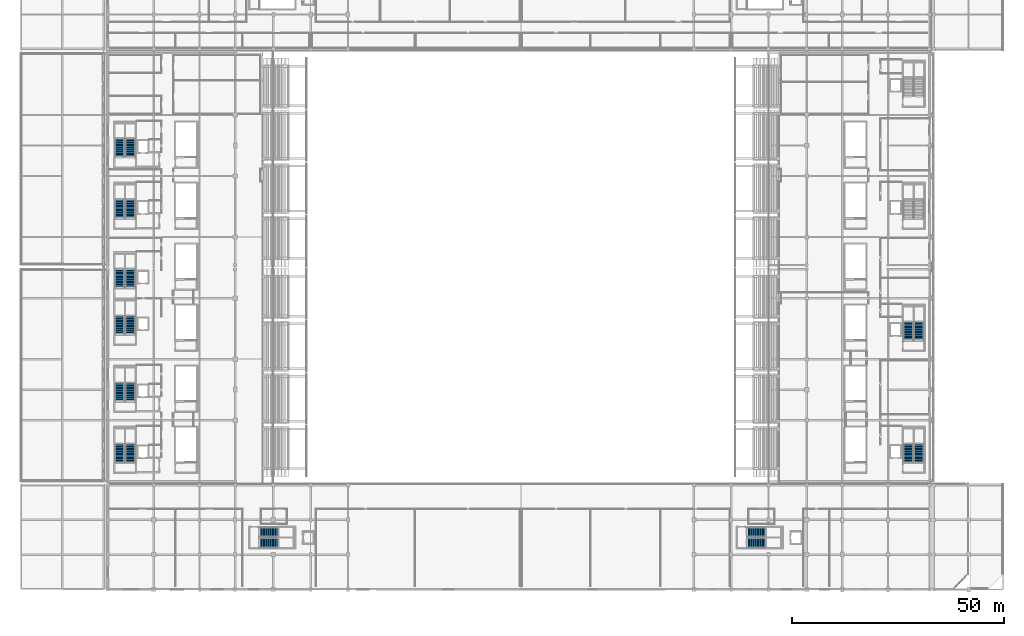
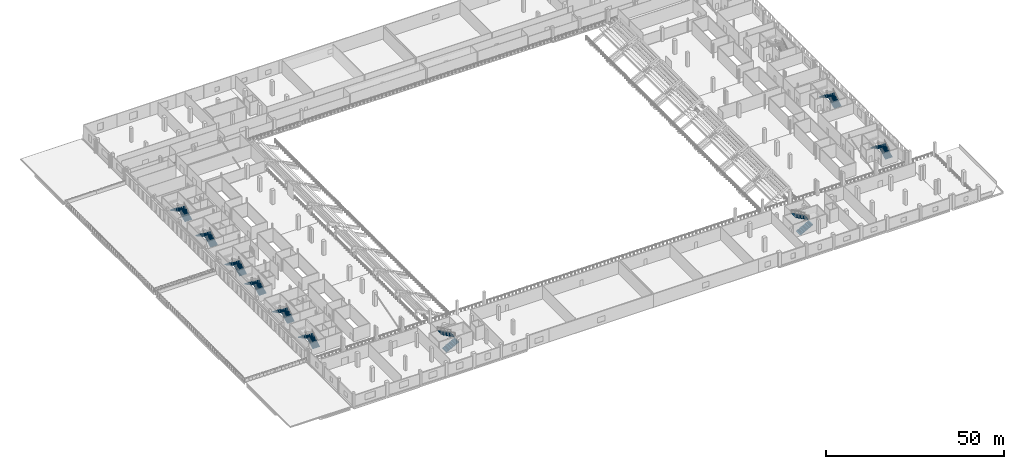
# One storey, part 45 of 74: 20 stair flights, 10 elements without a shape of their own.
"""IFC4 building model written with IfcOpenShell, lengths in metres."""

import ifcopenshell
import ifcopenshell.guid

model = None  # the IFC model being written
_history = None  # IfcOwnerHistory: only IFC2X3 demands one
_inside = {}  # id of a spatial element -> (the spatial element, [elements in it])
_under = {}  # id of a project, library or spatial element -> (it, [spatial elements below it])
_declared = {}  # id of a project -> (the project, [libraries it declares])
_typed = {}  # id of a type object -> (the type object, [elements of that type])
_made_of = {}  # id of a material, layer set ... -> (it, [elements and type objects made of it])


def new_model(schema):
    """Start an empty IFC model of exactly this schema.

    Asked for "IFC4X3", IfcOpenShell would pick the latest addendum, in which some entities
    have other attributes; the version numbers below select the first issue.
    IFC2X3 requires an IfcOwnerHistory on every rooted entity: one is made here for all.
    """
    global model, _history
    if schema == "IFC4X3":
        model = ifcopenshell.file(schema_version=(4, 3, 0, 0))
    else:
        model = ifcopenshell.file(schema=schema)
    _inside.clear()
    _under.clear()
    _declared.clear()
    _typed.clear()
    _made_of.clear()
    _history = None
    if model.schema == "IFC2X3":
        org = make("IfcOrganization", Name="unknown")
        user = make(
            "IfcPersonAndOrganization",
            ThePerson=make("IfcPerson", FamilyName="unknown"),
            TheOrganization=org,
        )
        app = make(
            "IfcApplication",
            ApplicationDeveloper=org,
            Version="unknown",
            ApplicationFullName="unknown",
            ApplicationIdentifier="unknown",
        )
        _history = make(
            "IfcOwnerHistory",
            OwningUser=user,
            OwningApplication=app,
            ChangeAction="ADDED",
            CreationDate=0,
        )
    return model


def make(cls, **values):
    """One entity of the class cls with the attributes given. An attribute that is None is left unset."""
    return model.create_entity(
        cls, **{name: value for name, value in values.items() if value is not None}
    )


def rooted(cls, **values):
    """An entity with a GlobalId (a new one), such as an element, a storey or a relation."""
    return make(cls, GlobalId=ifcopenshell.guid.new(), OwnerHistory=_history, **values)


def si_unit(unit_type, name, prefix=None):
    """IfcSIUnit, for example si_unit("LENGTHUNIT", "METRE", prefix="MILLI")."""
    return make("IfcSIUnit", UnitType=unit_type, Prefix=prefix, Name=name)


def assignment(units):
    """IfcUnitAssignment: the units of a project."""
    return None if units is None else make("IfcUnitAssignment", Units=units)


def point(xyz):
    """IfcCartesianPoint."""
    return None if xyz is None else make("IfcCartesianPoint", Coordinates=xyz)


def direction(xyz):
    """IfcDirection."""
    return None if xyz is None else make("IfcDirection", DirectionRatios=xyz)


def frame(location, z_axis=None, x_axis=None):
    """IfcAxis2Placement3D, a coordinate frame: its origin and axes. An axis left out is left unset."""
    return make(
        "IfcAxis2Placement3D",
        Location=point(location),
        Axis=direction(z_axis),
        RefDirection=direction(x_axis),
    )


def origin():
    """The frame at (0, 0, 0) with its axes left unset."""
    return frame((0.0, 0.0, 0.0))


def place(relative_to, where):
    """IfcLocalPlacement: puts the frame where relative to a parent placement (None: the world)."""
    return make(
        "IfcLocalPlacement", PlacementRelTo=relative_to, RelativePlacement=where
    )


def context(
    kind, dimensions, precision=None, world=None, true_north=None, identifier=None
):
    """IfcGeometricRepresentationContext, for example the 3D "Model" context."""
    return make(
        "IfcGeometricRepresentationContext",
        ContextIdentifier=identifier,
        ContextType=kind,
        CoordinateSpaceDimension=dimensions,
        Precision=precision,
        WorldCoordinateSystem=world,
        TrueNorth=true_north,
    )


def subcontext(parent, identifier, kind, view, scale=None):
    """IfcGeometricRepresentationSubContext, for example "Body" below "Model"."""
    return make(
        "IfcGeometricRepresentationSubContext",
        ContextIdentifier=identifier,
        ContextType=kind,
        ParentContext=parent,
        TargetScale=scale,
        TargetView=view,
    )


def project(units=None, contexts=None):
    """IfcProject with its units and contexts."""
    return rooted(
        "IfcProject",
        Name="project",
        RepresentationContexts=contexts,
        UnitsInContext=assignment(units),
    )


def spatial(cls, under=None, at=None, **own):
    """A site, building, storey or space (cls), placed at a placement, below another one or the project."""
    s = rooted(cls, ObjectPlacement=at, **own)
    if under is not None:
        _under.setdefault(under.id(), (under, []))[1].append(s)
    return s


def polyline(points):
    """IfcPolyline through the points."""
    return make("IfcPolyline", Points=[point(p) for p in points])


def outline(outer, holes=None, kind="AREA"):
    """IfcArbitraryClosedProfileDef: a profile drawn as a closed curve; with holes, ...WithVoids."""
    if holes is None:
        return make("IfcArbitraryClosedProfileDef", ProfileType=kind, OuterCurve=outer)
    return make(
        "IfcArbitraryProfileDefWithVoids",
        ProfileType=kind,
        OuterCurve=outer,
        InnerCurves=holes,
    )


def extrude(swept, where, along, depth):
    """IfcExtrudedAreaSolid: the profile swept, set in the frame where, extruded along a direction by depth."""
    return make(
        "IfcExtrudedAreaSolid",
        SweptArea=swept,
        Position=where,
        ExtrudedDirection=direction(along),
        Depth=depth,
    )


def shape(context_of_items, identifier, shape_type, items):
    """IfcShapeRepresentation: the items that make up one representation, for example the "Body"."""
    return make(
        "IfcShapeRepresentation",
        ContextOfItems=context_of_items,
        RepresentationIdentifier=identifier,
        RepresentationType=shape_type,
        Items=items,
    )


def material(Name=None, Category=None):
    """IfcMaterial."""
    return make("IfcMaterial", Name=Name, Category=Category)


def made_of(thing, what):
    """Note that an element or type object is made of a material, layer set ...; save() writes the relation."""
    if what is not None:
        _made_of.setdefault(what.id(), (what, []))[1].append(thing)
    return thing


def type_object(cls, material=None, **own):
    """A type object (cls), such as IfcWallType, which elements share."""
    return made_of(rooted(cls, **own), material)


def element(
    cls,
    number,
    at=None,
    inside=None,
    cuts=None,
    type_object=None,
    material=None,
    context=None,
    identifier="Body",
    shape_type=None,
    held_by="IfcProductDefinitionShape",
    body=None,
    shapes=None,
    **own,
):
    """One element of the class cls, such as IfcWall. Its Tag is "e" and its number.

    at: its placement. inside: the storey or other place that contains it. cuts: it is an
    opening in that element (IfcRelVoidsElement). A single representation is given by context,
    identifier, shape_type and body (its items); several are given by shapes. held_by: the class
    of the entity that holds the representations. save() writes the other relations.
    """
    e = rooted(cls, Tag="e%d" % number, ObjectPlacement=at, **own)
    if body is not None:
        shapes = [shape(context, identifier, shape_type, body)]
    if shapes is not None:
        e.Representation = make(held_by, Representations=shapes)
    if inside is not None:
        _inside.setdefault(inside.id(), (inside, []))[1].append(e)
    if cuts is not None:
        rooted(
            "IfcRelVoidsElement", RelatingBuildingElement=cuts, RelatedOpeningElement=e
        )
    if type_object is not None:
        _typed.setdefault(type_object.id(), (type_object, []))[1].append(e)
    return made_of(e, material)


def aggregate(whole, parts):
    """IfcRelAggregates: a whole, such as a stair, and the parts it consists of."""
    return rooted("IfcRelAggregates", RelatingObject=whole, RelatedObjects=parts)


def save(model, path):
    """Write the relations noted so far, then the file.

    IfcRelAggregates (storeys below a building ...), IfcRelContainedInSpatialStructure (elements
    in a storey), IfcRelDefinesByType, IfcRelAssociatesMaterial and IfcRelDeclares: one each for
    every whole, place, type object, material and project.
    """
    for whole, parts in _under.values():
        aggregate(whole, parts)
    for where, things in _inside.values():
        rooted(
            "IfcRelContainedInSpatialStructure",
            RelatedElements=things,
            RelatingStructure=where,
        )
    for kind, things in _typed.values():
        rooted("IfcRelDefinesByType", RelatedObjects=things, RelatingType=kind)
    for what, things in _made_of.values():
        rooted("IfcRelAssociatesMaterial", RelatedObjects=things, RelatingMaterial=what)
    for by, libraries in _declared.values():
        rooted("IfcRelDeclares", RelatingContext=by, RelatedDefinitions=libraries)
    model.write(path)


model = new_model("IFC4")

# Units and contexts
model_context = context("Model", 3, precision=1e-05, world=origin(), true_north=direction((0.0, 1.0)))
body_context = subcontext(model_context, "Body", "Model", "MODEL_VIEW")
ifc_project = project(units=[si_unit("LENGTHUNIT", "METRE"), si_unit("AREAUNIT", "SQUARE_METRE"), si_unit("VOLUMEUNIT", "CUBIC_METRE"), si_unit("PLANEANGLEUNIT", "RADIAN"), si_unit("MASSUNIT", "GRAM", prefix="KILO")], contexts=[model_context])

# Site, building, storey
site_placement = place(None, origin())
site = spatial("IfcSite", under=ifc_project, at=site_placement, CompositionType="ELEMENT")
building_placement = place(site_placement, origin())
building = spatial("IfcBuilding", under=site, at=building_placement, Name="Koshinbarg Plaza Stadium", CompositionType="ELEMENT")
storey_placement = place(building_placement, frame((0.0, 0.0, 15.0)))
storey = spatial("IfcBuildingStorey", under=building, at=storey_placement, Name="L03", CompositionType="ELEMENT", Elevation=15.0)

# Stair, stair flights
ifc_material = material(Name="Concrete C35/45", Category="concrete")
stair_type = type_object("IfcStairType", Name="ST-CORE-48", PredefinedType="HALF_TURN_STAIR", material=ifc_material)
stair_1_placement = place(storey_placement, origin())
stair_1 = element("IfcStair", 1, at=stair_1_placement, inside=storey, type_object=stair_type, Name="L03 Protected Exit Stair C01", PredefinedType="HALF_TURN_STAIR")
stair_flight_type = type_object("IfcStairFlightType", Name="SFL-CORE-48", PredefinedType="STRAIGHT", material=ifc_material)
stair_flight_1_placement = place(storey_placement, frame((29.889892578125, 29.9599609375, 0.0), z_axis=(0.0, 0.0, 1.0), x_axis=(0.0, 1.0, 0.0)))
stair_flight_1 = element("IfcStairFlight", 2, at=stair_flight_1_placement, type_object=stair_flight_type, Name="L03 Protected Exit Stair C01 flight 007", NumberOfRisers=15, NumberOfTreads=14, PredefinedType="STRAIGHT", RiserHeight=0.16, TreadLength=0.3, context=body_context, shape_type="SweptSolid", body=[
    extrude(outline(polyline([(0.0, 0.0), (0.0, 0.159912109375), (0.300048828125, 0.159912109375), (0.300048828125, 0.320068359375), (0.60009765625, 0.320068359375), (0.60009765625, 0.47998046875), (0.89990234375, 0.47998046875), (0.89990234375, 0.639892578125), (1.199951171875, 0.639892578125), (1.199951171875, 0.800048828125), (1.5, 0.800048828125), (1.5, 0.9599609375), (1.800048828125, 0.9599609375), (1.800048828125, 1.1201171875), (2.10009765625, 1.1201171875), (2.10009765625, 1.280029296875), (2.39990234375, 1.280029296875), (2.39990234375, 1.43994140625), (2.699951171875, 1.43994140625), (2.699951171875, 1.60009765625), (3.0, 1.60009765625), (3.0, 1.760009765625), (3.300048828125, 1.760009765625), (3.300048828125, 1.919921875), (3.60009765625, 1.919921875), (3.60009765625, 2.080078125), (3.89990234375, 2.080078125), (3.89990234375, 2.239990234375), (4.199951171875, 2.239990234375), (4.199951171875, 2.39990234375), (4.199951171875, 2.070068359375), (0.318603515625, 0.0), (0.0, 0.0)])), frame((0.0, 1.18017578125, 0.0), z_axis=(0.0, -1.0, 0.0), x_axis=(1.0, 0.0, 0.0)), (0.0, 0.0, 1.0), 2.360107421875),
])
stair_flight_2_placement = place(storey_placement, frame((27.3798828125, 34.159912109375, 2.39990234375), z_axis=(0.0, 0.0, 1.0), x_axis=(0.0, -1.0, 0.0)))
stair_flight_2 = element("IfcStairFlight", 3, at=stair_flight_2_placement, type_object=stair_flight_type, Name="L03 Protected Exit Stair C01 flight 008", NumberOfRisers=15, NumberOfTreads=14, PredefinedType="STRAIGHT", RiserHeight=0.16, TreadLength=0.3, context=body_context, shape_type="SweptSolid", body=[
    extrude(outline(polyline([(0.0, 0.0), (0.0, 0.159912109375), (0.300048828125, 0.159912109375), (0.300048828125, 0.320068359375), (0.60009765625, 0.320068359375), (0.60009765625, 0.47998046875), (0.89990234375, 0.47998046875), (0.89990234375, 0.639892578125), (1.199951171875, 0.639892578125), (1.199951171875, 0.800048828125), (1.5, 0.800048828125), (1.5, 0.9599609375), (1.800048828125, 0.9599609375), (1.800048828125, 1.1201171875), (2.10009765625, 1.1201171875), (2.10009765625, 1.280029296875), (2.39990234375, 1.280029296875), (2.39990234375, 1.43994140625), (2.699951171875, 1.43994140625), (2.699951171875, 1.60009765625), (3.0, 1.60009765625), (3.0, 1.760009765625), (3.300048828125, 1.760009765625), (3.300048828125, 1.919921875), (3.60009765625, 1.919921875), (3.60009765625, 2.080078125), (3.89990234375, 2.080078125), (3.89990234375, 2.239990234375), (4.199951171875, 2.239990234375), (4.199951171875, 2.39990234375), (4.199951171875, 2.070068359375), (0.318603515625, 0.0), (0.0, 0.0)])), frame((0.0, 1.18017578125, 0.0), z_axis=(0.0, -1.0, 0.0), x_axis=(1.0, 0.0, 0.0)), (0.0, 0.0, 1.0), 2.360107421875),
])
aggregate(stair_1, [stair_flight_1, stair_flight_2])

stair_2_placement = place(storey_placement, origin())
stair_2 = element("IfcStair", 4, at=stair_2_placement, inside=storey, type_object=stair_type, Name="L03 Protected Exit Stair C02", PredefinedType="HALF_TURN_STAIR")
stair_flight_3_placement = place(storey_placement, frame((29.889892578125, 44.360107421875, 0.0), z_axis=(0.0, 0.0, 1.0), x_axis=(0.0, 1.0, 0.0)))
stair_flight_3 = element("IfcStairFlight", 5, at=stair_flight_3_placement, type_object=stair_flight_type, Name="L03 Protected Exit Stair C02 flight 019", NumberOfRisers=15, NumberOfTreads=14, PredefinedType="STRAIGHT", RiserHeight=0.16, TreadLength=0.3, context=body_context, shape_type="SweptSolid", body=[
    extrude(outline(polyline([(0.0, 0.0), (0.0, 0.159912109375), (0.300048828125, 0.159912109375), (0.300048828125, 0.320068359375), (0.60009765625, 0.320068359375), (0.60009765625, 0.47998046875), (0.89990234375, 0.47998046875), (0.89990234375, 0.639892578125), (1.199951171875, 0.639892578125), (1.199951171875, 0.800048828125), (1.5, 0.800048828125), (1.5, 0.9599609375), (1.800048828125, 0.9599609375), (1.800048828125, 1.1201171875), (2.10009765625, 1.1201171875), (2.10009765625, 1.280029296875), (2.39990234375, 1.280029296875), (2.39990234375, 1.43994140625), (2.699951171875, 1.43994140625), (2.699951171875, 1.60009765625), (3.0, 1.60009765625), (3.0, 1.760009765625), (3.300048828125, 1.760009765625), (3.300048828125, 1.919921875), (3.60009765625, 1.919921875), (3.60009765625, 2.080078125), (3.89990234375, 2.080078125), (3.89990234375, 2.239990234375), (4.199951171875, 2.239990234375), (4.199951171875, 2.39990234375), (4.199951171875, 2.070068359375), (0.318603515625, 0.0), (0.0, 0.0)])), frame((0.0, 1.18017578125, 0.0), z_axis=(0.0, -1.0, 0.0), x_axis=(1.0, 0.0, 0.0)), (0.0, 0.0, 1.0), 2.360107421875),
])
stair_flight_4_placement = place(storey_placement, frame((27.3798828125, 48.56005859375, 2.39990234375), z_axis=(0.0, 0.0, 1.0), x_axis=(0.0, -1.0, 0.0)))
stair_flight_4 = element("IfcStairFlight", 6, at=stair_flight_4_placement, type_object=stair_flight_type, Name="L03 Protected Exit Stair C02 flight 020", NumberOfRisers=15, NumberOfTreads=14, PredefinedType="STRAIGHT", RiserHeight=0.16, TreadLength=0.3, context=body_context, shape_type="SweptSolid", body=[
    extrude(outline(polyline([(0.0, 0.0), (0.0, 0.159912109375), (0.300048828125, 0.159912109375), (0.300048828125, 0.320068359375), (0.60009765625, 0.320068359375), (0.60009765625, 0.47998046875), (0.89990234375, 0.47998046875), (0.89990234375, 0.639892578125), (1.199951171875, 0.639892578125), (1.199951171875, 0.800048828125), (1.5, 0.800048828125), (1.5, 0.9599609375), (1.800048828125, 0.9599609375), (1.800048828125, 1.1201171875), (2.10009765625, 1.1201171875), (2.10009765625, 1.280029296875), (2.39990234375, 1.280029296875), (2.39990234375, 1.43994140625), (2.699951171875, 1.43994140625), (2.699951171875, 1.60009765625), (3.0, 1.60009765625), (3.0, 1.760009765625), (3.300048828125, 1.760009765625), (3.300048828125, 1.919921875), (3.60009765625, 1.919921875), (3.60009765625, 2.080078125), (3.89990234375, 2.080078125), (3.89990234375, 2.239990234375), (4.199951171875, 2.239990234375), (4.199951171875, 2.39990234375), (4.199951171875, 2.070068359375), (0.318603515625, 0.0), (0.0, 0.0)])), frame((0.0, 1.18017578125, 0.0), z_axis=(0.0, -1.0, 0.0), x_axis=(1.0, 0.0, 0.0)), (0.0, 0.0, 1.0), 2.360107421875),
])
aggregate(stair_2, [stair_flight_3, stair_flight_4])

stair_3_placement = place(storey_placement, origin())
stair_3 = element("IfcStair", 7, at=stair_3_placement, inside=storey, type_object=stair_type, Name="L03 Protected Exit Stair C03", PredefinedType="HALF_TURN_STAIR")
stair_flight_5_placement = place(storey_placement, frame((29.889892578125, 60.159912109375, 0.0), z_axis=(0.0, 0.0, 1.0), x_axis=(0.0, 1.0, 0.0)))
stair_flight_5 = element("IfcStairFlight", 8, at=stair_flight_5_placement, type_object=stair_flight_type, Name="L03 Protected Exit Stair C03 flight 031", NumberOfRisers=15, NumberOfTreads=14, PredefinedType="STRAIGHT", RiserHeight=0.16, TreadLength=0.3, context=body_context, shape_type="SweptSolid", body=[
    extrude(outline(polyline([(0.0, 0.0), (0.0, 0.159912109375), (0.300048828125, 0.159912109375), (0.300048828125, 0.320068359375), (0.60009765625, 0.320068359375), (0.60009765625, 0.47998046875), (0.89990234375, 0.47998046875), (0.89990234375, 0.639892578125), (1.199951171875, 0.639892578125), (1.199951171875, 0.800048828125), (1.5, 0.800048828125), (1.5, 0.9599609375), (1.800048828125, 0.9599609375), (1.800048828125, 1.1201171875), (2.10009765625, 1.1201171875), (2.10009765625, 1.280029296875), (2.39990234375, 1.280029296875), (2.39990234375, 1.43994140625), (2.699951171875, 1.43994140625), (2.699951171875, 1.60009765625), (3.0, 1.60009765625), (3.0, 1.760009765625), (3.300048828125, 1.760009765625), (3.300048828125, 1.919921875), (3.60009765625, 1.919921875), (3.60009765625, 2.080078125), (3.89990234375, 2.080078125), (3.89990234375, 2.239990234375), (4.199951171875, 2.239990234375), (4.199951171875, 2.39990234375), (4.199951171875, 2.070068359375), (0.318603515625, 0.0), (0.0, 0.0)])), frame((0.0, 1.18017578125, 0.0), z_axis=(0.0, -1.0, 0.0), x_axis=(1.0, 0.0, 0.0)), (0.0, 0.0, 1.0), 2.360107421875),
])
stair_flight_6_placement = place(storey_placement, frame((27.3798828125, 64.360107421875, 2.39990234375), z_axis=(0.0, 0.0, 1.0), x_axis=(0.0, -1.0, 0.0)))
stair_flight_6 = element("IfcStairFlight", 9, at=stair_flight_6_placement, type_object=stair_flight_type, Name="L03 Protected Exit Stair C03 flight 032", NumberOfRisers=15, NumberOfTreads=14, PredefinedType="STRAIGHT", RiserHeight=0.16, TreadLength=0.3, context=body_context, shape_type="SweptSolid", body=[
    extrude(outline(polyline([(0.0, 0.0), (0.0, 0.159912109375), (0.300048828125, 0.159912109375), (0.300048828125, 0.320068359375), (0.60009765625, 0.320068359375), (0.60009765625, 0.47998046875), (0.89990234375, 0.47998046875), (0.89990234375, 0.639892578125), (1.199951171875, 0.639892578125), (1.199951171875, 0.800048828125), (1.5, 0.800048828125), (1.5, 0.9599609375), (1.800048828125, 0.9599609375), (1.800048828125, 1.1201171875), (2.10009765625, 1.1201171875), (2.10009765625, 1.280029296875), (2.39990234375, 1.280029296875), (2.39990234375, 1.43994140625), (2.699951171875, 1.43994140625), (2.699951171875, 1.60009765625), (3.0, 1.60009765625), (3.0, 1.760009765625), (3.300048828125, 1.760009765625), (3.300048828125, 1.919921875), (3.60009765625, 1.919921875), (3.60009765625, 2.080078125), (3.89990234375, 2.080078125), (3.89990234375, 2.239990234375), (4.199951171875, 2.239990234375), (4.199951171875, 2.39990234375), (4.199951171875, 2.070068359375), (0.318603515625, 0.0), (0.0, 0.0)])), frame((0.0, 1.18017578125, 0.0), z_axis=(0.0, -1.0, 0.0), x_axis=(1.0, 0.0, 0.0)), (0.0, 0.0, 1.0), 2.360107421875),
])
aggregate(stair_3, [stair_flight_5, stair_flight_6])

stair_4_placement = place(storey_placement, origin())
stair_4 = element("IfcStair", 10, at=stair_4_placement, inside=storey, type_object=stair_type, Name="L03 Protected Exit Stair C04", PredefinedType="HALF_TURN_STAIR")
stair_flight_7_placement = place(storey_placement, frame((29.889892578125, 71.159912109375, 0.0), z_axis=(0.0, 0.0, 1.0), x_axis=(0.0, 1.0, 0.0)))
stair_flight_7 = element("IfcStairFlight", 11, at=stair_flight_7_placement, type_object=stair_flight_type, Name="L03 Protected Exit Stair C04 flight 043", NumberOfRisers=15, NumberOfTreads=14, PredefinedType="STRAIGHT", RiserHeight=0.16, TreadLength=0.3, context=body_context, shape_type="SweptSolid", body=[
    extrude(outline(polyline([(0.0, 0.0), (0.0, 0.159912109375), (0.300048828125, 0.159912109375), (0.300048828125, 0.320068359375), (0.60009765625, 0.320068359375), (0.60009765625, 0.47998046875), (0.89990234375, 0.47998046875), (0.89990234375, 0.639892578125), (1.199951171875, 0.639892578125), (1.199951171875, 0.800048828125), (1.5, 0.800048828125), (1.5, 0.9599609375), (1.800048828125, 0.9599609375), (1.800048828125, 1.1201171875), (2.10009765625, 1.1201171875), (2.10009765625, 1.280029296875), (2.39990234375, 1.280029296875), (2.39990234375, 1.43994140625), (2.699951171875, 1.43994140625), (2.699951171875, 1.60009765625), (3.0, 1.60009765625), (3.0, 1.760009765625), (3.300048828125, 1.760009765625), (3.300048828125, 1.919921875), (3.60009765625, 1.919921875), (3.60009765625, 2.080078125), (3.89990234375, 2.080078125), (3.89990234375, 2.239990234375), (4.199951171875, 2.239990234375), (4.199951171875, 2.39990234375), (4.199951171875, 2.070068359375), (0.318603515625, 0.0), (0.0, 0.0)])), frame((0.0, 1.18017578125, 0.0), z_axis=(0.0, -1.0, 0.0), x_axis=(1.0, 0.0, 0.0)), (0.0, 0.0, 1.0), 2.360107421875),
])
stair_flight_8_placement = place(storey_placement, frame((27.3798828125, 75.360107421875, 2.39990234375), z_axis=(0.0, 0.0, 1.0), x_axis=(0.0, -1.0, 0.0)))
stair_flight_8 = element("IfcStairFlight", 12, at=stair_flight_8_placement, type_object=stair_flight_type, Name="L03 Protected Exit Stair C04 flight 044", NumberOfRisers=15, NumberOfTreads=14, PredefinedType="STRAIGHT", RiserHeight=0.16, TreadLength=0.3, context=body_context, shape_type="SweptSolid", body=[
    extrude(outline(polyline([(0.0, 0.0), (0.0, 0.159912109375), (0.300048828125, 0.159912109375), (0.300048828125, 0.320068359375), (0.60009765625, 0.320068359375), (0.60009765625, 0.47998046875), (0.89990234375, 0.47998046875), (0.89990234375, 0.639892578125), (1.199951171875, 0.639892578125), (1.199951171875, 0.800048828125), (1.5, 0.800048828125), (1.5, 0.9599609375), (1.800048828125, 0.9599609375), (1.800048828125, 1.1201171875), (2.10009765625, 1.1201171875), (2.10009765625, 1.280029296875), (2.39990234375, 1.280029296875), (2.39990234375, 1.43994140625), (2.699951171875, 1.43994140625), (2.699951171875, 1.60009765625), (3.0, 1.60009765625), (3.0, 1.760009765625), (3.300048828125, 1.760009765625), (3.300048828125, 1.919921875), (3.60009765625, 1.919921875), (3.60009765625, 2.080078125), (3.89990234375, 2.080078125), (3.89990234375, 2.239990234375), (4.199951171875, 2.239990234375), (4.199951171875, 2.39990234375), (4.199951171875, 2.070068359375), (0.318603515625, 0.0), (0.0, 0.0)])), frame((0.0, 1.18017578125, 0.0), z_axis=(0.0, -1.0, 0.0), x_axis=(1.0, 0.0, 0.0)), (0.0, 0.0, 1.0), 2.360107421875),
])
aggregate(stair_4, [stair_flight_7, stair_flight_8])

stair_5_placement = place(storey_placement, origin())
stair_5 = element("IfcStair", 13, at=stair_5_placement, inside=storey, type_object=stair_type, Name="L03 Protected Exit Stair C05", PredefinedType="HALF_TURN_STAIR")
stair_flight_9_placement = place(storey_placement, frame((29.889892578125, 87.56005859375, 0.0), z_axis=(0.0, 0.0, 1.0), x_axis=(0.0, 1.0, 0.0)))
stair_flight_9 = element("IfcStairFlight", 14, at=stair_flight_9_placement, type_object=stair_flight_type, Name="L03 Protected Exit Stair C05 flight 055", NumberOfRisers=15, NumberOfTreads=14, PredefinedType="STRAIGHT", RiserHeight=0.16, TreadLength=0.3, context=body_context, shape_type="SweptSolid", body=[
    extrude(outline(polyline([(0.0, 0.0), (0.0, 0.159912109375), (0.300048828125, 0.159912109375), (0.300048828125, 0.320068359375), (0.60009765625, 0.320068359375), (0.60009765625, 0.47998046875), (0.89990234375, 0.47998046875), (0.89990234375, 0.639892578125), (1.199951171875, 0.639892578125), (1.199951171875, 0.800048828125), (1.5, 0.800048828125), (1.5, 0.9599609375), (1.800048828125, 0.9599609375), (1.800048828125, 1.1201171875), (2.10009765625, 1.1201171875), (2.10009765625, 1.280029296875), (2.39990234375, 1.280029296875), (2.39990234375, 1.43994140625), (2.699951171875, 1.43994140625), (2.699951171875, 1.60009765625), (3.0, 1.60009765625), (3.0, 1.760009765625), (3.300048828125, 1.760009765625), (3.300048828125, 1.919921875), (3.60009765625, 1.919921875), (3.60009765625, 2.080078125), (3.89990234375, 2.080078125), (3.89990234375, 2.239990234375), (4.199951171875, 2.239990234375), (4.199951171875, 2.39990234375), (4.199951171875, 2.070068359375), (0.318603515625, 0.0), (0.0, 0.0)])), frame((0.0, 1.18017578125, 0.0), z_axis=(0.0, -1.0, 0.0), x_axis=(1.0, 0.0, 0.0)), (0.0, 0.0, 1.0), 2.360107421875),
])
stair_flight_10_placement = place(storey_placement, frame((27.3798828125, 91.760009765625, 2.39990234375), z_axis=(0.0, 0.0, 1.0), x_axis=(0.0, -1.0, 0.0)))
stair_flight_10 = element("IfcStairFlight", 15, at=stair_flight_10_placement, type_object=stair_flight_type, Name="L03 Protected Exit Stair C05 flight 056", NumberOfRisers=15, NumberOfTreads=14, PredefinedType="STRAIGHT", RiserHeight=0.16, TreadLength=0.3, context=body_context, shape_type="SweptSolid", body=[
    extrude(outline(polyline([(0.0, 0.0), (0.0, 0.159912109375), (0.300048828125, 0.159912109375), (0.300048828125, 0.320068359375), (0.60009765625, 0.320068359375), (0.60009765625, 0.47998046875), (0.89990234375, 0.47998046875), (0.89990234375, 0.639892578125), (1.199951171875, 0.639892578125), (1.199951171875, 0.800048828125), (1.5, 0.800048828125), (1.5, 0.9599609375), (1.800048828125, 0.9599609375), (1.800048828125, 1.1201171875), (2.10009765625, 1.1201171875), (2.10009765625, 1.280029296875), (2.39990234375, 1.280029296875), (2.39990234375, 1.43994140625), (2.699951171875, 1.43994140625), (2.699951171875, 1.60009765625), (3.0, 1.60009765625), (3.0, 1.760009765625), (3.300048828125, 1.760009765625), (3.300048828125, 1.919921875), (3.60009765625, 1.919921875), (3.60009765625, 2.080078125), (3.89990234375, 2.080078125), (3.89990234375, 2.239990234375), (4.199951171875, 2.239990234375), (4.199951171875, 2.39990234375), (4.199951171875, 2.070068359375), (0.318603515625, 0.0), (0.0, 0.0)])), frame((0.0, 1.18017578125, 0.0), z_axis=(0.0, -1.0, 0.0), x_axis=(1.0, 0.0, 0.0)), (0.0, 0.0, 1.0), 2.360107421875),
])
aggregate(stair_5, [stair_flight_9, stair_flight_10])

stair_6_placement = place(storey_placement, origin())
stair_6 = element("IfcStair", 16, at=stair_6_placement, inside=storey, type_object=stair_type, Name="L03 Protected Exit Stair C06", PredefinedType="HALF_TURN_STAIR")
stair_flight_11_placement = place(storey_placement, frame((29.889892578125, 101.9599609375, 0.0), z_axis=(0.0, 0.0, 1.0), x_axis=(0.0, 1.0, 0.0)))
stair_flight_11 = element("IfcStairFlight", 17, at=stair_flight_11_placement, type_object=stair_flight_type, Name="L03 Protected Exit Stair C06 flight 067", NumberOfRisers=15, NumberOfTreads=14, PredefinedType="STRAIGHT", RiserHeight=0.16, TreadLength=0.3, context=body_context, shape_type="SweptSolid", body=[
    extrude(outline(polyline([(0.0, 0.0), (0.0, 0.159912109375), (0.300048828125, 0.159912109375), (0.300048828125, 0.320068359375), (0.60009765625, 0.320068359375), (0.60009765625, 0.47998046875), (0.89990234375, 0.47998046875), (0.89990234375, 0.639892578125), (1.199951171875, 0.639892578125), (1.199951171875, 0.800048828125), (1.5, 0.800048828125), (1.5, 0.9599609375), (1.800048828125, 0.9599609375), (1.800048828125, 1.1201171875), (2.10009765625, 1.1201171875), (2.10009765625, 1.280029296875), (2.39990234375, 1.280029296875), (2.39990234375, 1.43994140625), (2.699951171875, 1.43994140625), (2.699951171875, 1.60009765625), (3.0, 1.60009765625), (3.0, 1.760009765625), (3.300048828125, 1.760009765625), (3.300048828125, 1.919921875), (3.60009765625, 1.919921875), (3.60009765625, 2.080078125), (3.89990234375, 2.080078125), (3.89990234375, 2.239990234375), (4.199951171875, 2.239990234375), (4.199951171875, 2.39990234375), (4.199951171875, 2.070068359375), (0.318603515625, 0.0), (0.0, 0.0)])), frame((0.0, 1.18017578125, 0.0), z_axis=(0.0, -1.0, 0.0), x_axis=(1.0, 0.0, 0.0)), (0.0, 0.0, 1.0), 2.360107421875),
])
stair_flight_12_placement = place(storey_placement, frame((27.3798828125, 106.159912109375, 2.39990234375), z_axis=(0.0, 0.0, 1.0), x_axis=(0.0, -1.0, 0.0)))
stair_flight_12 = element("IfcStairFlight", 18, at=stair_flight_12_placement, type_object=stair_flight_type, Name="L03 Protected Exit Stair C06 flight 068", NumberOfRisers=15, NumberOfTreads=14, PredefinedType="STRAIGHT", RiserHeight=0.16, TreadLength=0.3, context=body_context, shape_type="SweptSolid", body=[
    extrude(outline(polyline([(0.0, 0.0), (0.0, 0.159912109375), (0.300048828125, 0.159912109375), (0.300048828125, 0.320068359375), (0.60009765625, 0.320068359375), (0.60009765625, 0.47998046875), (0.89990234375, 0.47998046875), (0.89990234375, 0.639892578125), (1.199951171875, 0.639892578125), (1.199951171875, 0.800048828125), (1.5, 0.800048828125), (1.5, 0.9599609375), (1.800048828125, 0.9599609375), (1.800048828125, 1.1201171875), (2.10009765625, 1.1201171875), (2.10009765625, 1.280029296875), (2.39990234375, 1.280029296875), (2.39990234375, 1.43994140625), (2.699951171875, 1.43994140625), (2.699951171875, 1.60009765625), (3.0, 1.60009765625), (3.0, 1.760009765625), (3.300048828125, 1.760009765625), (3.300048828125, 1.919921875), (3.60009765625, 1.919921875), (3.60009765625, 2.080078125), (3.89990234375, 2.080078125), (3.89990234375, 2.239990234375), (4.199951171875, 2.239990234375), (4.199951171875, 2.39990234375), (4.199951171875, 2.070068359375), (0.318603515625, 0.0), (0.0, 0.0)])), frame((0.0, 1.18017578125, 0.0), z_axis=(0.0, -1.0, 0.0), x_axis=(1.0, 0.0, 0.0)), (0.0, 0.0, 1.0), 2.360107421875),
])
aggregate(stair_6, [stair_flight_11, stair_flight_12])

stair_7_placement = place(storey_placement, origin())
stair_7 = element("IfcStair", 19, at=stair_7_placement, inside=storey, type_object=stair_type, Name="L03 Protected Exit Stair C07", PredefinedType="HALF_TURN_STAIR")
stair_flight_13_placement = place(storey_placement, frame((215.889892578125, 29.9599609375, 0.0), z_axis=(0.0, 0.0, 1.0), x_axis=(0.0, 1.0, 0.0)))
stair_flight_13 = element("IfcStairFlight", 20, at=stair_flight_13_placement, type_object=stair_flight_type, Name="L03 Protected Exit Stair C07 flight 079", NumberOfRisers=15, NumberOfTreads=14, PredefinedType="STRAIGHT", RiserHeight=0.16, TreadLength=0.3, context=body_context, shape_type="SweptSolid", body=[
    extrude(outline(polyline([(0.0, 0.0), (0.0, 0.159912109375), (0.300048828125, 0.159912109375), (0.300048828125, 0.320068359375), (0.60009765625, 0.320068359375), (0.60009765625, 0.47998046875), (0.89990234375, 0.47998046875), (0.89990234375, 0.639892578125), (1.199951171875, 0.639892578125), (1.199951171875, 0.800048828125), (1.5, 0.800048828125), (1.5, 0.9599609375), (1.800048828125, 0.9599609375), (1.800048828125, 1.1201171875), (2.10009765625, 1.1201171875), (2.10009765625, 1.280029296875), (2.39990234375, 1.280029296875), (2.39990234375, 1.43994140625), (2.699951171875, 1.43994140625), (2.699951171875, 1.60009765625), (3.0, 1.60009765625), (3.0, 1.760009765625), (3.300048828125, 1.760009765625), (3.300048828125, 1.919921875), (3.60009765625, 1.919921875), (3.60009765625, 2.080078125), (3.89990234375, 2.080078125), (3.89990234375, 2.239990234375), (4.199951171875, 2.239990234375), (4.199951171875, 2.39990234375), (4.199951171875, 2.070068359375), (0.318603515625, 0.0), (0.0, 0.0)])), frame((0.0, 1.18017578125, 0.0), z_axis=(0.0, -1.0, 0.0), x_axis=(1.0, 0.0, 0.0)), (0.0, 0.0, 1.0), 2.360107421875),
])
stair_flight_14_placement = place(storey_placement, frame((213.3798828125, 34.159912109375, 2.39990234375), z_axis=(0.0, 0.0, 1.0), x_axis=(0.0, -1.0, 0.0)))
stair_flight_14 = element("IfcStairFlight", 21, at=stair_flight_14_placement, type_object=stair_flight_type, Name="L03 Protected Exit Stair C07 flight 080", NumberOfRisers=15, NumberOfTreads=14, PredefinedType="STRAIGHT", RiserHeight=0.16, TreadLength=0.3, context=body_context, shape_type="SweptSolid", body=[
    extrude(outline(polyline([(0.0, 0.0), (0.0, 0.159912109375), (0.300048828125, 0.159912109375), (0.300048828125, 0.320068359375), (0.60009765625, 0.320068359375), (0.60009765625, 0.47998046875), (0.89990234375, 0.47998046875), (0.89990234375, 0.639892578125), (1.199951171875, 0.639892578125), (1.199951171875, 0.800048828125), (1.5, 0.800048828125), (1.5, 0.9599609375), (1.800048828125, 0.9599609375), (1.800048828125, 1.1201171875), (2.10009765625, 1.1201171875), (2.10009765625, 1.280029296875), (2.39990234375, 1.280029296875), (2.39990234375, 1.43994140625), (2.699951171875, 1.43994140625), (2.699951171875, 1.60009765625), (3.0, 1.60009765625), (3.0, 1.760009765625), (3.300048828125, 1.760009765625), (3.300048828125, 1.919921875), (3.60009765625, 1.919921875), (3.60009765625, 2.080078125), (3.89990234375, 2.080078125), (3.89990234375, 2.239990234375), (4.199951171875, 2.239990234375), (4.199951171875, 2.39990234375), (4.199951171875, 2.070068359375), (0.318603515625, 0.0), (0.0, 0.0)])), frame((0.0, 1.18017578125, 0.0), z_axis=(0.0, -1.0, 0.0), x_axis=(1.0, 0.0, 0.0)), (0.0, 0.0, 1.0), 2.360107421875),
])
aggregate(stair_7, [stair_flight_13, stair_flight_14])

stair_8_placement = place(storey_placement, origin())
stair_8 = element("IfcStair", 22, at=stair_8_placement, inside=storey, type_object=stair_type, Name="L03 Protected Exit Stair C08", PredefinedType="HALF_TURN_STAIR")
stair_flight_15_placement = place(storey_placement, frame((215.889892578125, 58.760009765625, 0.0), z_axis=(0.0, 0.0, 1.0), x_axis=(0.0, 1.0, 0.0)))
stair_flight_15 = element("IfcStairFlight", 23, at=stair_flight_15_placement, type_object=stair_flight_type, Name="L03 Protected Exit Stair C08 flight 089", NumberOfRisers=15, NumberOfTreads=14, PredefinedType="STRAIGHT", RiserHeight=0.16, TreadLength=0.3, context=body_context, shape_type="SweptSolid", body=[
    extrude(outline(polyline([(0.0, 0.0), (0.0, 0.159912109375), (0.300048828125, 0.159912109375), (0.300048828125, 0.320068359375), (0.60009765625, 0.320068359375), (0.60009765625, 0.47998046875), (0.89990234375, 0.47998046875), (0.89990234375, 0.639892578125), (1.199951171875, 0.639892578125), (1.199951171875, 0.800048828125), (1.5, 0.800048828125), (1.5, 0.9599609375), (1.800048828125, 0.9599609375), (1.800048828125, 1.1201171875), (2.10009765625, 1.1201171875), (2.10009765625, 1.280029296875), (2.39990234375, 1.280029296875), (2.39990234375, 1.43994140625), (2.699951171875, 1.43994140625), (2.699951171875, 1.60009765625), (3.0, 1.60009765625), (3.0, 1.760009765625), (3.300048828125, 1.760009765625), (3.300048828125, 1.919921875), (3.60009765625, 1.919921875), (3.60009765625, 2.080078125), (3.89990234375, 2.080078125), (3.89990234375, 2.239990234375), (4.199951171875, 2.239990234375), (4.199951171875, 2.39990234375), (4.199951171875, 2.070068359375), (0.318603515625, 0.0), (0.0, 0.0)])), frame((0.0, 1.18017578125, 0.0), z_axis=(0.0, -1.0, 0.0), x_axis=(1.0, 0.0, 0.0)), (0.0, 0.0, 1.0), 2.360107421875),
])
stair_flight_16_placement = place(storey_placement, frame((213.3798828125, 62.9599609375, 2.39990234375), z_axis=(0.0, 0.0, 1.0), x_axis=(0.0, -1.0, 0.0)))
stair_flight_16 = element("IfcStairFlight", 24, at=stair_flight_16_placement, type_object=stair_flight_type, Name="L03 Protected Exit Stair C08 flight 090", NumberOfRisers=15, NumberOfTreads=14, PredefinedType="STRAIGHT", RiserHeight=0.16, TreadLength=0.3, context=body_context, shape_type="SweptSolid", body=[
    extrude(outline(polyline([(0.0, 0.0), (0.0, 0.159912109375), (0.300048828125, 0.159912109375), (0.300048828125, 0.320068359375), (0.60009765625, 0.320068359375), (0.60009765625, 0.47998046875), (0.89990234375, 0.47998046875), (0.89990234375, 0.639892578125), (1.199951171875, 0.639892578125), (1.199951171875, 0.800048828125), (1.5, 0.800048828125), (1.5, 0.9599609375), (1.800048828125, 0.9599609375), (1.800048828125, 1.1201171875), (2.10009765625, 1.1201171875), (2.10009765625, 1.280029296875), (2.39990234375, 1.280029296875), (2.39990234375, 1.43994140625), (2.699951171875, 1.43994140625), (2.699951171875, 1.60009765625), (3.0, 1.60009765625), (3.0, 1.760009765625), (3.300048828125, 1.760009765625), (3.300048828125, 1.919921875), (3.60009765625, 1.919921875), (3.60009765625, 2.080078125), (3.89990234375, 2.080078125), (3.89990234375, 2.239990234375), (4.199951171875, 2.239990234375), (4.199951171875, 2.39990234375), (4.199951171875, 2.070068359375), (0.318603515625, 0.0), (0.0, 0.0)])), frame((0.0, 1.18017578125, 0.0), z_axis=(0.0, -1.0, 0.0), x_axis=(1.0, 0.0, 0.0)), (0.0, 0.0, 1.0), 2.360107421875),
])
aggregate(stair_8, [stair_flight_15, stair_flight_16])

stair_9_placement = place(storey_placement, origin())
stair_9 = element("IfcStair", 25, at=stair_9_placement, inside=storey, type_object=stair_type, Name="L03 Protected Exit Stair C13", PredefinedType="HALF_TURN_STAIR")
stair_flight_17_placement = place(storey_placement, frame((60.360107421875, 10.97998046875, 0.0), z_axis=(0.0, 0.0, 1.0), x_axis=(1.0, 0.0, 0.0)))
stair_flight_17 = element("IfcStairFlight", 26, at=stair_flight_17_placement, type_object=stair_flight_type, Name="L03 Protected Exit Stair C13 flight 131", NumberOfRisers=15, NumberOfTreads=14, PredefinedType="STRAIGHT", RiserHeight=0.16, TreadLength=0.3, context=body_context, shape_type="SweptSolid", body=[
    extrude(outline(polyline([(0.0, 0.0), (0.0, 0.159912109375), (0.300048828125, 0.159912109375), (0.300048828125, 0.320068359375), (0.60009765625, 0.320068359375), (0.60009765625, 0.47998046875), (0.89990234375, 0.47998046875), (0.89990234375, 0.639892578125), (1.199951171875, 0.639892578125), (1.199951171875, 0.800048828125), (1.5, 0.800048828125), (1.5, 0.9599609375), (1.800048828125, 0.9599609375), (1.800048828125, 1.1201171875), (2.10009765625, 1.1201171875), (2.10009765625, 1.280029296875), (2.39990234375, 1.280029296875), (2.39990234375, 1.43994140625), (2.699951171875, 1.43994140625), (2.699951171875, 1.60009765625), (3.0, 1.60009765625), (3.0, 1.760009765625), (3.300048828125, 1.760009765625), (3.300048828125, 1.919921875), (3.60009765625, 1.919921875), (3.60009765625, 2.080078125), (3.89990234375, 2.080078125), (3.89990234375, 2.239990234375), (4.199951171875, 2.239990234375), (4.199951171875, 2.39990234375), (4.199951171875, 2.070068359375), (0.318603515625, 0.0), (0.0, 0.0)])), frame((0.0, 1.18017578125, 0.0), z_axis=(0.0, -1.0, 0.0), x_axis=(1.0, 0.0, 0.0)), (0.0, 0.0, 1.0), 2.360107421875),
])
stair_flight_18_placement = place(storey_placement, frame((64.56005859375, 13.489990234375, 2.39990234375), z_axis=(0.0, 0.0, 1.0), x_axis=(-1.0, 0.0, 0.0)))
stair_flight_18 = element("IfcStairFlight", 27, at=stair_flight_18_placement, type_object=stair_flight_type, Name="L03 Protected Exit Stair C13 flight 132", NumberOfRisers=15, NumberOfTreads=14, PredefinedType="STRAIGHT", RiserHeight=0.16, TreadLength=0.3, context=body_context, shape_type="SweptSolid", body=[
    extrude(outline(polyline([(0.0, 0.0), (0.0, 0.159912109375), (0.300048828125, 0.159912109375), (0.300048828125, 0.320068359375), (0.60009765625, 0.320068359375), (0.60009765625, 0.47998046875), (0.89990234375, 0.47998046875), (0.89990234375, 0.639892578125), (1.199951171875, 0.639892578125), (1.199951171875, 0.800048828125), (1.5, 0.800048828125), (1.5, 0.9599609375), (1.800048828125, 0.9599609375), (1.800048828125, 1.1201171875), (2.10009765625, 1.1201171875), (2.10009765625, 1.280029296875), (2.39990234375, 1.280029296875), (2.39990234375, 1.43994140625), (2.699951171875, 1.43994140625), (2.699951171875, 1.60009765625), (3.0, 1.60009765625), (3.0, 1.760009765625), (3.300048828125, 1.760009765625), (3.300048828125, 1.919921875), (3.60009765625, 1.919921875), (3.60009765625, 2.080078125), (3.89990234375, 2.080078125), (3.89990234375, 2.239990234375), (4.199951171875, 2.239990234375), (4.199951171875, 2.39990234375), (4.199951171875, 2.070068359375), (0.318603515625, 0.0), (0.0, 0.0)])), frame((0.0, 1.18017578125, 0.0), z_axis=(0.0, -1.0, 0.0), x_axis=(1.0, 0.0, 0.0)), (0.0, 0.0, 1.0), 2.360107421875),
])
aggregate(stair_9, [stair_flight_17, stair_flight_18])

stair_10_placement = place(storey_placement, origin())
stair_10 = element("IfcStair", 28, at=stair_10_placement, inside=storey, type_object=stair_type, Name="L03 Protected Exit Stair C14", PredefinedType="HALF_TURN_STAIR")
stair_flight_19_placement = place(storey_placement, frame((175.360107421875, 10.97998046875, 0.0), z_axis=(0.0, 0.0, 1.0), x_axis=(1.0, 0.0, 0.0)))
stair_flight_19 = element("IfcStairFlight", 29, at=stair_flight_19_placement, type_object=stair_flight_type, Name="L03 Protected Exit Stair C14 flight 139", NumberOfRisers=15, NumberOfTreads=14, PredefinedType="STRAIGHT", RiserHeight=0.16, TreadLength=0.3, context=body_context, shape_type="SweptSolid", body=[
    extrude(outline(polyline([(0.0, 0.0), (0.0, 0.159912109375), (0.300048828125, 0.159912109375), (0.300048828125, 0.320068359375), (0.60009765625, 0.320068359375), (0.60009765625, 0.47998046875), (0.89990234375, 0.47998046875), (0.89990234375, 0.639892578125), (1.199951171875, 0.639892578125), (1.199951171875, 0.800048828125), (1.5, 0.800048828125), (1.5, 0.9599609375), (1.800048828125, 0.9599609375), (1.800048828125, 1.1201171875), (2.10009765625, 1.1201171875), (2.10009765625, 1.280029296875), (2.39990234375, 1.280029296875), (2.39990234375, 1.43994140625), (2.699951171875, 1.43994140625), (2.699951171875, 1.60009765625), (3.0, 1.60009765625), (3.0, 1.760009765625), (3.300048828125, 1.760009765625), (3.300048828125, 1.919921875), (3.60009765625, 1.919921875), (3.60009765625, 2.080078125), (3.89990234375, 2.080078125), (3.89990234375, 2.239990234375), (4.199951171875, 2.239990234375), (4.199951171875, 2.39990234375), (4.199951171875, 2.070068359375), (0.318603515625, 0.0), (0.0, 0.0)])), frame((0.0, 1.18017578125, 0.0), z_axis=(0.0, -1.0, 0.0), x_axis=(1.0, 0.0, 0.0)), (0.0, 0.0, 1.0), 2.360107421875),
])
stair_flight_20_placement = place(storey_placement, frame((179.56005859375, 13.489990234375, 2.39990234375), z_axis=(0.0, 0.0, 1.0), x_axis=(-1.0, 0.0, 0.0)))
stair_flight_20 = element("IfcStairFlight", 30, at=stair_flight_20_placement, type_object=stair_flight_type, Name="L03 Protected Exit Stair C14 flight 140", NumberOfRisers=15, NumberOfTreads=14, PredefinedType="STRAIGHT", RiserHeight=0.16, TreadLength=0.3, context=body_context, shape_type="SweptSolid", body=[
    extrude(outline(polyline([(0.0, 0.0), (0.0, 0.159912109375), (0.300048828125, 0.159912109375), (0.300048828125, 0.320068359375), (0.60009765625, 0.320068359375), (0.60009765625, 0.47998046875), (0.89990234375, 0.47998046875), (0.89990234375, 0.639892578125), (1.199951171875, 0.639892578125), (1.199951171875, 0.800048828125), (1.5, 0.800048828125), (1.5, 0.9599609375), (1.800048828125, 0.9599609375), (1.800048828125, 1.1201171875), (2.10009765625, 1.1201171875), (2.10009765625, 1.280029296875), (2.39990234375, 1.280029296875), (2.39990234375, 1.43994140625), (2.699951171875, 1.43994140625), (2.699951171875, 1.60009765625), (3.0, 1.60009765625), (3.0, 1.760009765625), (3.300048828125, 1.760009765625), (3.300048828125, 1.919921875), (3.60009765625, 1.919921875), (3.60009765625, 2.080078125), (3.89990234375, 2.080078125), (3.89990234375, 2.239990234375), (4.199951171875, 2.239990234375), (4.199951171875, 2.39990234375), (4.199951171875, 2.070068359375), (0.318603515625, 0.0), (0.0, 0.0)])), frame((0.0, 1.18017578125, 0.0), z_axis=(0.0, -1.0, 0.0), x_axis=(1.0, 0.0, 0.0)), (0.0, 0.0, 1.0), 2.360107421875),
])
aggregate(stair_10, [stair_flight_19, stair_flight_20])

save(model, "model.ifc")
